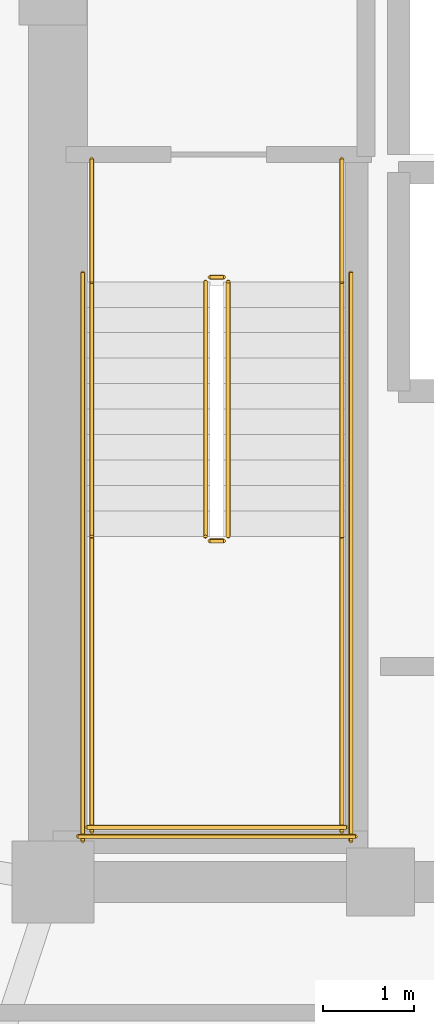
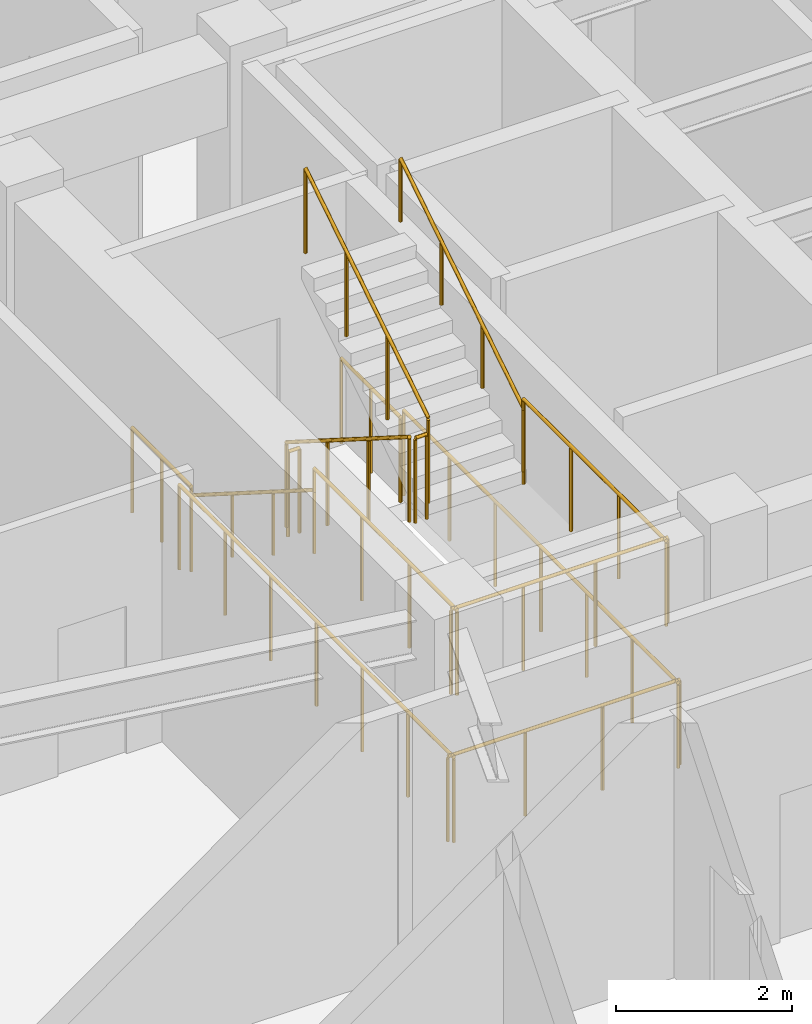
# One storey, part 16 of 17: 14 railings.
"""IFC4 building model written with IfcOpenShell, lengths in metres."""

from ifc_helpers import new_model, si_unit, direction, frame, origin, origin_2d, place, context, subcontext, project, spatial, circle, extrude, material, type_object, element, save


model = new_model("IFC4")

# Units and contexts
model_context = context("Model", 3, precision=1e-05, world=origin(), true_north=direction((0.0, 1.0)))
body_context = subcontext(model_context, "Body", "Model", "MODEL_VIEW")
ifc_project = project(units=[si_unit("LENGTHUNIT", "METRE"), si_unit("AREAUNIT", "SQUARE_METRE"), si_unit("VOLUMEUNIT", "CUBIC_METRE"), si_unit("PLANEANGLEUNIT", "RADIAN"), si_unit("MASSUNIT", "GRAM", prefix="KILO")], contexts=[model_context])

# Site, building, storey
site_placement = place(None, origin())
site = spatial("IfcSite", under=ifc_project, at=site_placement, CompositionType="ELEMENT")
building_placement = place(site_placement, origin())
building = spatial("IfcBuilding", under=site, at=building_placement, Name="Voryun Gate Residences", CompositionType="ELEMENT")
storey_placement = place(building_placement, frame((0.0, 0.0, 204.10009765625)))
storey = spatial("IfcBuildingStorey", under=building, at=storey_placement, Name="L50", CompositionType="ELEMENT", Elevation=204.10009765625)

# Railings
ifc_material_1 = material(Name="Painted steel", Category="steel")
railing_type_1 = type_object("IfcRailingType", Name="RAIL_STAIR_GUARD_1200", PredefinedType="GUARDRAIL", material=ifc_material_1)
railing_1_placement = place(storey_placement, frame((-17.52490234375, -0.800048828125, 0.17724609375)))
element("IfcRailing", 1, at=railing_1_placement, inside=storey, type_object=railing_type_1, Name="L50 ST-W1 stair guard 1", PredefinedType="GUARDRAIL", context=body_context, shape_type="SweptSolid", body=[
    extrude(circle(Radius=0.02392578125, at=origin_2d()), frame((0.0, 0.0, 1.17578125), z_axis=(0.0, -0.844908973607, 0.534910110503), x_axis=(1.0, 0.0, 0.0)), (0.0, 0.0, 1.0), 3.31396484375),
    extrude(circle(Radius=0.02099609375, at=origin_2d()), origin(), (0.0, 0.0, 1.0), 1.15185546875),
    extrude(circle(Radius=0.02099609375, at=origin_2d()), frame((0.0, -0.933349609375, 0.5908203125)), (0.0, 0.0, 1.0), 1.15185546875),
    extrude(circle(Radius=0.02099609375, at=origin_2d()), frame((0.0, -1.86669921875, 1.181884765625)), (0.0, 0.0, 1.0), 1.15185546875),
    extrude(circle(Radius=0.02099609375, at=origin_2d()), frame((0.0, -2.800048828125, 1.772705078125)), (0.0, 0.0, 1.0), 1.15185546875),
])
railing_2_placement = place(storey_placement, frame((-17.47509765625, -3.64990234375, 1.949951171875)))
element("IfcRailing", 2, at=railing_2_placement, inside=storey, type_object=railing_type_1, Name="L50 ST-W1 stair guard 2", PredefinedType="GUARDRAIL", context=body_context, shape_type="SweptSolid", body=[
    extrude(circle(Radius=0.02392578125, at=origin_2d()), frame((0.0, 0.0, 1.17578125), z_axis=(1.0, 0.0, 0.0), x_axis=(0.0, 1.0, 0.0)), (0.0, 0.0, 1.0), 0.150146484375),
    extrude(circle(Radius=0.02099609375, at=origin_2d()), origin(), (0.0, 0.0, 1.0), 1.15185546875),
    extrude(circle(Radius=0.02099609375, at=origin_2d()), frame((0.150146484375, 0.0, 0.0)), (0.0, 0.0, 1.0), 1.15185546875),
])
for number, where, name in (
    (3, (-18.77490234375, -3.60009765625, 1.949951171875), "L50 ST-W1 stair guard 3"),
    (4, (-16.02490234375, -3.60009765625, 1.949951171875), "L50 ST-W1 stair guard 4"),
):
    element("IfcRailing", number, at=place(storey_placement, frame(where)), inside=storey, type_object=railing_type_1, Name=name, PredefinedType="GUARDRAIL", context=body_context, shape_type="SweptSolid", body=[
        extrude(circle(Radius=0.02392578125, at=origin_2d()), frame((0.0, 0.0, 1.17578125), z_axis=(0.0, -1.0, 0.0), x_axis=(1.0, 0.0, 0.0)), (0.0, 0.0, 1.0), 3.25),
        extrude(circle(Radius=0.02099609375, at=origin_2d()), origin(), (0.0, 0.0, 1.0), 1.15185546875),
        extrude(circle(Radius=0.02099609375, at=origin_2d()), frame((0.0, -1.083251953125, 0.0)), (0.0, 0.0, 1.0), 1.15185546875),
        extrude(circle(Radius=0.02099609375, at=origin_2d()), frame((0.0, -2.166748046875, 0.0)), (0.0, 0.0, 1.0), 1.15185546875),
        extrude(circle(Radius=0.02099609375, at=origin_2d()), frame((0.0, -3.25, 0.0)), (0.0, 0.0, 1.0), 1.15185546875),
    ])
railing_3_placement = place(storey_placement, frame((-18.824951171875, -6.800048828125, 1.949951171875)))
element("IfcRailing", 5, at=railing_3_placement, inside=storey, type_object=railing_type_1, Name="L50 ST-W1 stair guard 5", PredefinedType="GUARDRAIL", context=body_context, shape_type="SweptSolid", body=[
    extrude(circle(Radius=0.02392578125, at=origin_2d()), frame((0.0, 0.0, 1.17578125), z_axis=(1.0, 0.0, 0.0), x_axis=(0.0, 1.0, 0.0)), (0.0, 0.0, 1.0), 2.849853515625),
    extrude(circle(Radius=0.02099609375, at=origin_2d()), origin(), (0.0, 0.0, 1.0), 1.15185546875),
    extrude(circle(Radius=0.02099609375, at=origin_2d()), frame((0.949951171875, 0.0, 0.0)), (0.0, 0.0, 1.0), 1.15185546875),
    extrude(circle(Radius=0.02099609375, at=origin_2d()), frame((1.89990234375, 0.0, 0.0)), (0.0, 0.0, 1.0), 1.15185546875),
    extrude(circle(Radius=0.02099609375, at=origin_2d()), frame((2.849853515625, 0.0, 0.0)), (0.0, 0.0, 1.0), 1.15185546875),
])
railing_4_placement = place(storey_placement, frame((-17.27490234375, -3.60009765625, 2.127197265625)))
element("IfcRailing", 6, at=railing_4_placement, inside=storey, type_object=railing_type_1, Name="L50 ST-W1 stair guard 6", PredefinedType="GUARDRAIL", context=body_context, shape_type="SweptSolid", body=[
    extrude(circle(Radius=0.02392578125, at=origin_2d()), frame((0.0, 0.0, 1.17578125), z_axis=(0.0, 0.844908973607, 0.534910110503), x_axis=(-1.0, 0.0, 0.0)), (0.0, 0.0, 1.0), 3.31396484375),
    extrude(circle(Radius=0.02099609375, at=origin_2d()), origin(), (0.0, 0.0, 1.0), 1.15185546875),
    extrude(circle(Radius=0.02099609375, at=origin_2d()), frame((0.0, 0.933349609375, 0.5908203125)), (0.0, 0.0, 1.0), 1.15185546875),
    extrude(circle(Radius=0.02099609375, at=origin_2d()), frame((0.0, 1.86669921875, 1.181884765625)), (0.0, 0.0, 1.0), 1.15185546875),
    extrude(circle(Radius=0.02099609375, at=origin_2d()), frame((0.0, 2.800048828125, 1.772705078125)), (0.0, 0.0, 1.0), 1.15185546875),
])
railing_5_placement = place(storey_placement, frame((-17.47509765625, -0.75, 0.0)))
element("IfcRailing", 7, at=railing_5_placement, inside=storey, type_object=railing_type_1, Name="L50 ST-W1 stair guard 7", PredefinedType="GUARDRAIL", context=body_context, shape_type="SweptSolid", body=[
    extrude(circle(Radius=0.02392578125, at=origin_2d()), frame((0.0, 0.0, 1.17578125), z_axis=(1.0, 0.0, 0.0), x_axis=(0.0, 1.0, 0.0)), (0.0, 0.0, 1.0), 0.150146484375),
    extrude(circle(Radius=0.02099609375, at=origin_2d()), origin(), (0.0, 0.0, 1.0), 1.15185546875),
    extrude(circle(Radius=0.02099609375, at=origin_2d()), frame((0.150146484375, 0.0, 0.0)), (0.0, 0.0, 1.0), 1.15185546875),
])
for number, where, name in (
    (8, (-18.77490234375, 0.550048828125, 0.0), "L50 ST-W1 stair guard 8"),
    (9, (-16.02490234375, 0.550048828125, 0.0), "L50 ST-W1 stair guard 9"),
):
    element("IfcRailing", number, at=place(storey_placement, frame(where)), inside=storey, type_object=railing_type_1, Name=name, PredefinedType="GUARDRAIL", context=body_context, shape_type="SweptSolid", body=[
        extrude(circle(Radius=0.02392578125, at=origin_2d()), frame((0.0, 0.0, 1.17578125), z_axis=(0.0, -1.0, 0.0), x_axis=(1.0, 0.0, 0.0)), (0.0, 0.0, 1.0), 1.35009765625),
        extrude(circle(Radius=0.02099609375, at=origin_2d()), origin(), (0.0, 0.0, 1.0), 1.15185546875),
        extrude(circle(Radius=0.02099609375, at=origin_2d()), frame((0.0, -0.675048828125, 0.0)), (0.0, 0.0, 1.0), 1.15185546875),
        extrude(circle(Radius=0.02099609375, at=origin_2d()), frame((0.0, -1.35009765625, 0.0)), (0.0, 0.0, 1.0), 1.15185546875),
    ])
for number, where, name in (
    (10, (-18.875, -0.699951171875, 0.0), "L50 ST-W1 stair guard 10"),
    (11, (-15.925048828125, -0.699951171875, 0.0), "L50 ST-W1 stair guard 11"),
):
    element("IfcRailing", number, at=place(storey_placement, frame(where)), inside=storey, type_object=railing_type_1, Name=name, PredefinedType="GUARDRAIL", context=body_context, shape_type="SweptSolid", body=[
        extrude(circle(Radius=0.02392578125, at=origin_2d()), frame((0.0, 0.0, 1.17578125), z_axis=(0.0, -1.0, 0.0), x_axis=(1.0, 0.0, 0.0)), (0.0, 0.0, 1.0), 6.25),
        extrude(circle(Radius=0.02099609375, at=origin_2d()), origin(), (0.0, 0.0, 1.0), 1.15185546875),
        extrude(circle(Radius=0.02099609375, at=origin_2d()), frame((0.0, -1.041748046875, 0.0)), (0.0, 0.0, 1.0), 1.15185546875),
        extrude(circle(Radius=0.02099609375, at=origin_2d()), frame((0.0, -2.083251953125, 0.0)), (0.0, 0.0, 1.0), 1.15185546875),
        extrude(circle(Radius=0.02099609375, at=origin_2d()), frame((0.0, -3.125, 0.0)), (0.0, 0.0, 1.0), 1.15185546875),
        extrude(circle(Radius=0.02099609375, at=origin_2d()), frame((0.0, -4.166748046875, 0.0)), (0.0, 0.0, 1.0), 1.15185546875),
        extrude(circle(Radius=0.02099609375, at=origin_2d()), frame((0.0, -5.208251953125, 0.0)), (0.0, 0.0, 1.0), 1.15185546875),
        extrude(circle(Radius=0.02099609375, at=origin_2d()), frame((0.0, -6.25, 0.0)), (0.0, 0.0, 1.0), 1.15185546875),
    ])
railing_6_placement = place(storey_placement, frame((-18.925048828125, -6.89990234375, 0.0)))
element("IfcRailing", 12, at=railing_6_placement, inside=storey, type_object=railing_type_1, Name="L50 ST-W1 stair guard 12", PredefinedType="GUARDRAIL", context=body_context, shape_type="SweptSolid", body=[
    extrude(circle(Radius=0.02392578125, at=origin_2d()), frame((0.0, 0.0, 1.17578125), z_axis=(1.0, 0.0, 0.0), x_axis=(0.0, 1.0, 0.0)), (0.0, 0.0, 1.0), 3.050048828125),
    extrude(circle(Radius=0.02099609375, at=origin_2d()), origin(), (0.0, 0.0, 1.0), 1.15185546875),
    extrude(circle(Radius=0.02099609375, at=origin_2d()), frame((1.0166015625, 0.0, 0.0)), (0.0, 0.0, 1.0), 1.15185546875),
    extrude(circle(Radius=0.02099609375, at=origin_2d()), frame((2.033447265625, 0.0, 0.0)), (0.0, 0.0, 1.0), 1.15185546875),
    extrude(circle(Radius=0.02099609375, at=origin_2d()), frame((3.050048828125, 0.0, 0.0)), (0.0, 0.0, 1.0), 1.15185546875),
])
ifc_material_2 = material(Name="Painted steel", Category="steel")
railing_type_2 = type_object("IfcRailingType", Name="RAIL_STAIR_HANDRAIL_900", PredefinedType="HANDRAIL", material=ifc_material_2)
railing_7_placement = place(storey_placement, frame((-18.77490234375, -0.800048828125, 0.17724609375)))
element("IfcRailing", 13, at=railing_7_placement, inside=storey, type_object=railing_type_2, Name="L50 ST-W1 stair handrail 1", PredefinedType="HANDRAIL", context=body_context, shape_type="SweptSolid", body=[
    extrude(circle(Radius=0.02392578125, at=origin_2d()), frame((0.0, 0.0, 0.8759765625), z_axis=(0.0, -0.844908973607, 0.534910110503), x_axis=(1.0, 0.0, 0.0)), (0.0, 0.0, 1.0), 3.31396484375),
    extrude(circle(Radius=0.02099609375, at=origin_2d()), origin(), (0.0, 0.0, 1.0), 0.851806640625),
    extrude(circle(Radius=0.02099609375, at=origin_2d()), frame((0.0, -0.933349609375, 0.5908203125)), (0.0, 0.0, 1.0), 0.851806640625),
    extrude(circle(Radius=0.02099609375, at=origin_2d()), frame((0.0, -1.86669921875, 1.181884765625)), (0.0, 0.0, 1.0), 0.851806640625),
    extrude(circle(Radius=0.02099609375, at=origin_2d()), frame((0.0, -2.800048828125, 1.772705078125)), (0.0, 0.0, 1.0), 0.851806640625),
])
railing_8_placement = place(storey_placement, frame((-16.02490234375, -3.60009765625, 2.127197265625)))
element("IfcRailing", 14, at=railing_8_placement, inside=storey, type_object=railing_type_2, Name="L50 ST-W1 stair handrail 2", PredefinedType="HANDRAIL", context=body_context, shape_type="SweptSolid", body=[
    extrude(circle(Radius=0.02392578125, at=origin_2d()), frame((0.0, 0.0, 0.8759765625), z_axis=(0.0, 0.844908973607, 0.534910110503), x_axis=(-1.0, 0.0, 0.0)), (0.0, 0.0, 1.0), 3.31396484375),
    extrude(circle(Radius=0.02099609375, at=origin_2d()), origin(), (0.0, 0.0, 1.0), 0.851806640625),
    extrude(circle(Radius=0.02099609375, at=origin_2d()), frame((0.0, 0.933349609375, 0.5908203125)), (0.0, 0.0, 1.0), 0.851806640625),
    extrude(circle(Radius=0.02099609375, at=origin_2d()), frame((0.0, 1.86669921875, 1.181884765625)), (0.0, 0.0, 1.0), 0.851806640625),
    extrude(circle(Radius=0.02099609375, at=origin_2d()), frame((0.0, 2.800048828125, 1.772705078125)), (0.0, 0.0, 1.0), 0.851806640625),
])

save(model, "model.ifc")
